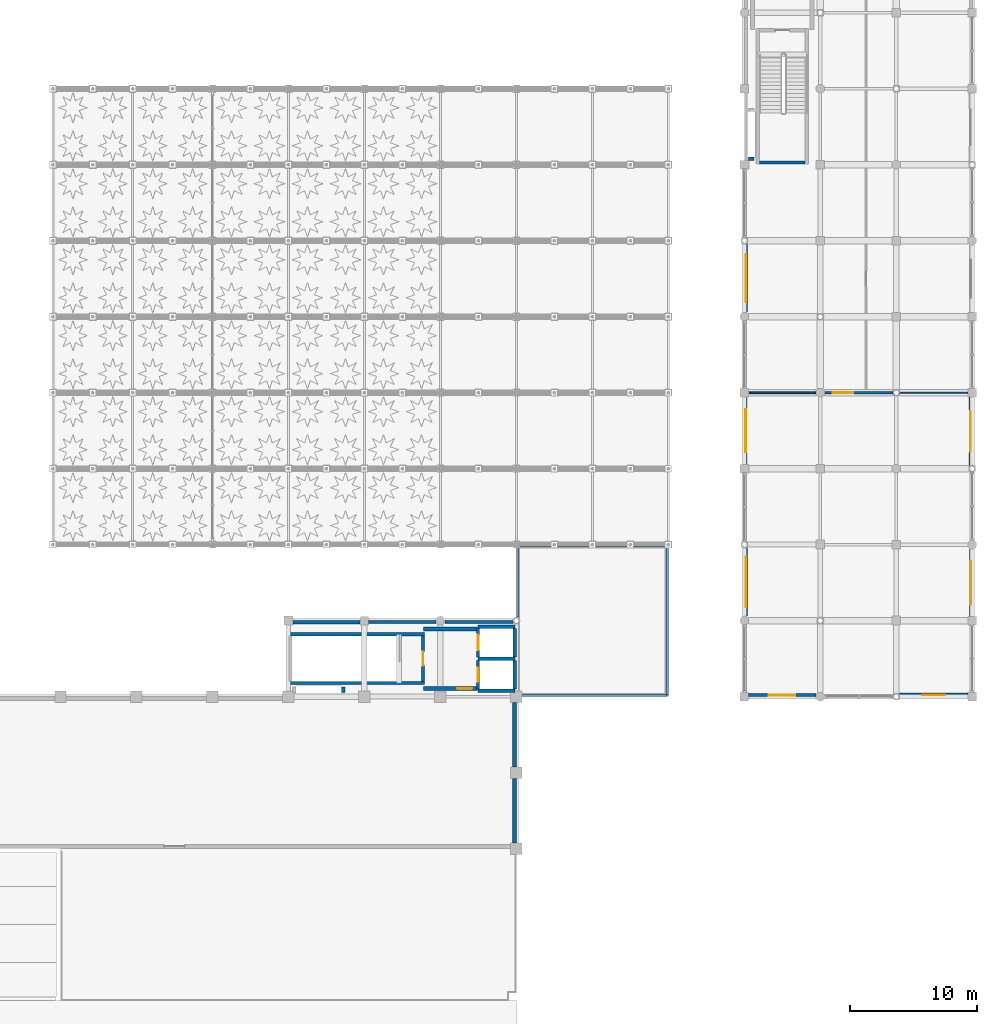
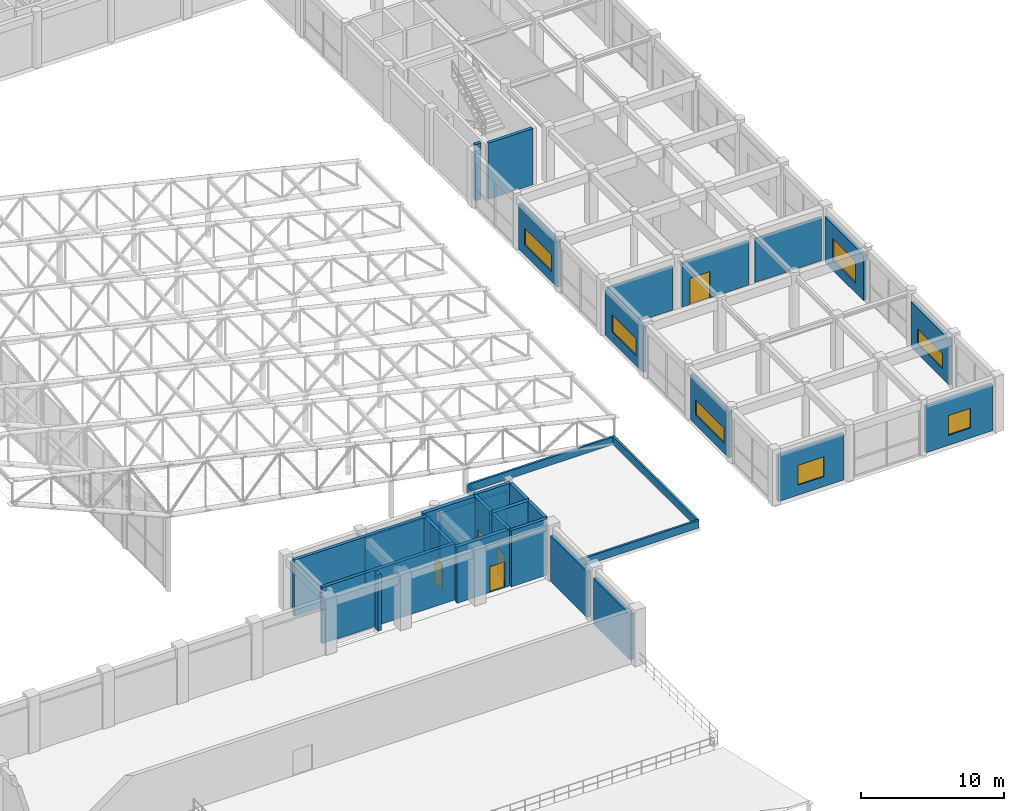
# One storey, part 96 of 112: 34 walls, 7 windows, 5 doors, 12 openings.
"""IFC4 building model written with IfcOpenShell, lengths in metres."""

from ifc_helpers import new_model, si_unit, direction, frame, frame_2d, origin, place, context, subcontext, project, spatial, rectangle, extrude, material, layer, layer_set, type_object, element, fill, save


model = new_model("IFC4")

# Units and contexts
model_context = context("Model", 3, precision=1e-05, world=origin(), true_north=direction((0.0, 1.0)))
body_context = subcontext(model_context, "Body", "Model", "MODEL_VIEW")
ifc_project = project(units=[si_unit("LENGTHUNIT", "METRE"), si_unit("AREAUNIT", "SQUARE_METRE"), si_unit("VOLUMEUNIT", "CUBIC_METRE"), si_unit("PLANEANGLEUNIT", "RADIAN"), si_unit("MASSUNIT", "GRAM", prefix="KILO"), si_unit("THERMODYNAMICTEMPERATUREUNIT", "KELVIN"), si_unit("POWERUNIT", "WATT")], contexts=[model_context])

# Site, building, storey
site_placement = place(None, origin())
site = spatial("IfcSite", under=ifc_project, at=site_placement, CompositionType="ELEMENT")
building_placement = place(site_placement, origin())
building = spatial("IfcBuilding", under=site, at=building_placement, Name="Phaisarnlok Congress Hotel", CompositionType="ELEMENT")
storey_placement = place(building_placement, frame((0.0, 0.0, 19.800048828125)))
storey = spatial("IfcBuildingStorey", under=building, at=storey_placement, Name="L04", CompositionType="ELEMENT", Elevation=19.800048828125)

# Walls
ifc_material_1 = material(Name="Concrete C40/50", Category="concrete")
ifc_layer_1 = layer(ifc_material_1, 0.2099609375, Name="Concrete C40/50")
ifc_layer_set_1 = layer_set([ifc_layer_1], Name="Concrete C40/50")
wall_type_1 = type_object("IfcWallType", Name="WL-EXT-210", PredefinedType="SOLIDWALL", material=ifc_layer_set_1)
wall_1_placement = place(storey_placement, frame((137.64501953125, 41.89501953125, 0.0), z_axis=(0.0, 0.0, 1.0), x_axis=(-1.0, 0.0, 0.0)))
element("IfcWall", 1, at=wall_1_placement, inside=storey, type_object=wall_type_1, Name="Exterior wall EW-07 (L04)", PredefinedType="SOLIDWALL", context=body_context, shape_type="SweptSolid", body=[
    extrude(rectangle(XDim=5.31494140625, YDim=0.2099609375, at=frame_2d((2.657470703125, 0.0))), origin(), (0.0, 0.0, 1.0), 3.909912109375),
])
ifc_layer_2 = layer(ifc_material_1, 0.22998046875, Name="Concrete C40/50")
ifc_layer_set_2 = layer_set([ifc_layer_2], Name="Concrete C40/50")
wall_type_2 = type_object("IfcWallType", Name="WL-EXT-230", PredefinedType="SOLIDWALL", material=ifc_layer_set_2)
wall_2_placement = place(storey_placement, frame((143.740966796875, 41.885009765625, 0.0), z_axis=(0.0, 0.0, 1.0), x_axis=(-1.0, 0.0, 0.0)))
element("IfcWall", 2, at=wall_2_placement, inside=storey, type_object=wall_type_2, Name="Exterior wall EW-06 (L04)", PredefinedType="SOLIDWALL", context=body_context, shape_type="SweptSolid", body=[
    extrude(rectangle(XDim=5.385986328125, YDim=0.22998046875, at=frame_2d((2.69287109375, 0.0))), origin(), (0.0, 0.0, 1.0), 3.909912109375),
])

# Wall, opening, window
wall_3_placement = place(storey_placement, frame((162.114990234375, 59.669921875, 0.0), z_axis=(0.0, 0.0, 1.0), x_axis=(0.0, -1.0, 0.0)))
wall_3 = element("IfcWall", 3, at=wall_3_placement, inside=storey, type_object=wall_type_2, Name="Exterior wall EW-06 (L04)", PredefinedType="SOLIDWALL", context=body_context, shape_type="SweptSolid", body=[
    extrude(rectangle(XDim=5.31494140625, YDim=0.22998046875, at=frame_2d((2.657470703125, 0.0))), origin(), (0.0, 0.0, 1.0), 3.89990234375),
])
opening_1_placement = place(wall_3_placement, frame((0.9580078125, 0.0, 0.85009765625)))
opening_1 = element("IfcOpeningElement", 4, at=opening_1_placement, cuts=wall_3, Name="Opening W-18", PredefinedType="OPENING", context=body_context, shape_type="SweptSolid", body=[
    extrude(rectangle(XDim=3.39990234375, YDim=1.449951171875, at=frame_2d((1.699951171875, 0.72509765625))), frame((0.0, 0.125, 0.0), z_axis=(0.0, -1.0, 0.0), x_axis=(1.0, 0.0, 0.0)), (0.0, 0.0, 1.0), 0.25),
])
ifc_material_2 = material(Name="Thermally Broken Aluminium & Low-E Double Glazing", Category="aluminium")
window_type_1 = type_object("IfcWindowType", Name="WIN-RIB-3400", PartitioningType="SINGLE_PANEL", PredefinedType="WINDOW", material=ifc_material_2)
window_1_placement = place(opening_1_placement, origin())
window_1 = element("IfcWindow", 5, at=window_1_placement, inside=storey, type_object=window_type_1, Name="Podium window W-18 (L04)", OverallHeight=1.449951171875, OverallWidth=3.39990234375, PartitioningType="SINGLE_PANEL", PredefinedType="WINDOW", context=body_context, shape_type="SweptSolid", body=[
    extrude(rectangle(XDim=3.39990234375, YDim=1.449951171875, at=frame_2d((1.699951171875, 0.72509765625))), frame((0.0, 0.030029296875, 0.0), z_axis=(0.0, -1.0, 0.0), x_axis=(1.0, 0.0, 0.0)), (0.0, 0.0, 1.0), 0.06005859375),
])
fill(opening_1, window_1)

wall_4_placement = place(storey_placement, frame((162.330078125, 36.114990234375, 0.0), z_axis=(0.0, 0.0, 1.0), x_axis=(1.0, 0.0, 0.0)))
wall_4 = element("IfcWall", 6, at=wall_4_placement, inside=storey, type_object=wall_type_2, Name="Exterior wall EW-06 (L04)", PredefinedType="SOLIDWALL", context=body_context, shape_type="SweptSolid", body=[
    extrude(rectangle(XDim=5.31494140625, YDim=0.22998046875, at=frame_2d((2.657470703125, 0.0))), origin(), (0.0, 0.0, 1.0), 3.945068359375),
])
opening_2_placement = place(wall_4_placement, frame((1.60693359375, 0.0, 0.85009765625)))
opening_2 = element("IfcOpeningElement", 7, at=opening_2_placement, cuts=wall_4, Name="Opening W-09", PredefinedType="OPENING", context=body_context, shape_type="SweptSolid", body=[
    extrude(rectangle(XDim=2.10009765625, YDim=1.699951171875, at=frame_2d((1.050048828125, 0.85009765625))), frame((0.0, 0.125, 0.0), z_axis=(0.0, -1.0, 0.0), x_axis=(1.0, 0.0, 0.0)), (0.0, 0.0, 1.0), 0.25),
])
window_type_2 = type_object("IfcWindowType", Name="WIN-POD-2100", PartitioningType="SINGLE_PANEL", PredefinedType="WINDOW", material=ifc_material_2)
window_2_placement = place(opening_2_placement, origin())
window_2 = element("IfcWindow", 8, at=window_2_placement, inside=storey, type_object=window_type_2, Name="Podium window W-09 (L04)", OverallHeight=1.699951171875, OverallWidth=2.10009765625, PartitioningType="SINGLE_PANEL", PredefinedType="WINDOW", context=body_context, shape_type="SweptSolid", body=[
    extrude(rectangle(XDim=2.10009765625, YDim=1.699951171875, at=frame_2d((1.050048828125, 0.85009765625))), frame((0.0, 0.030029296875, 0.0), z_axis=(0.0, -1.0, 0.0), x_axis=(1.0, 0.0, 0.0)), (0.0, 0.0, 1.0), 0.06005859375),
])
fill(opening_2, window_2)

wall_5_placement = place(storey_placement, frame((179.885009765625, 42.330078125, 0.0), z_axis=(0.0, 0.0, 1.0), x_axis=(0.0, 1.0, 0.0)))
wall_5 = element("IfcWall", 9, at=wall_5_placement, inside=storey, type_object=wall_type_2, Name="Exterior wall EW-06 (L04)", PredefinedType="SOLIDWALL", context=body_context, shape_type="SweptSolid", body=[
    extrude(rectangle(XDim=5.31494140625, YDim=0.22998046875, at=frame_2d((2.657470703125, 0.0))), origin(), (0.0, 0.0, 1.0), 3.89990234375),
])
opening_3_placement = place(wall_5_placement, frame((0.907958984375, 0.0, 0.85009765625)))
opening_3 = element("IfcOpeningElement", 10, at=opening_3_placement, cuts=wall_5, Name="Opening W-20", PredefinedType="OPENING", context=body_context, shape_type="SweptSolid", body=[
    extrude(rectangle(XDim=3.5, YDim=1.300048828125, at=frame_2d((1.75, 0.64990234375))), frame((0.0, 0.125, 0.0), z_axis=(0.0, -1.0, 0.0), x_axis=(1.0, 0.0, 0.0)), (0.0, 0.0, 1.0), 0.25),
])
window_type_3 = type_object("IfcWindowType", Name="WIN-CLER-3500", PartitioningType="SINGLE_PANEL", PredefinedType="WINDOW", material=ifc_material_2)
window_3_placement = place(opening_3_placement, origin())
window_3 = element("IfcWindow", 11, at=window_3_placement, inside=storey, type_object=window_type_3, Name="Podium window W-20 (L04)", OverallHeight=1.300048828125, OverallWidth=3.5, PartitioningType="SINGLE_PANEL", PredefinedType="WINDOW", context=body_context, shape_type="SweptSolid", body=[
    extrude(rectangle(XDim=3.5, YDim=1.300048828125, at=frame_2d((1.75, 0.64990234375))), frame((0.0, 0.030029296875, 0.0), z_axis=(0.0, -1.0, 0.0), x_axis=(1.0, 0.0, 0.0)), (0.0, 0.0, 1.0), 0.06005859375),
])
fill(opening_3, window_3)

# Wall
ifc_layer_3 = layer(ifc_material_1, 0.27001953125, Name="Concrete C40/50")
ifc_layer_set_3 = layer_set([ifc_layer_3], Name="Concrete C40/50")
wall_type_3 = type_object("IfcWallType", Name="WL-EXT-270", PredefinedType="SOLIDWALL", material=ifc_layer_set_3)
wall_6_placement = place(storey_placement, frame((131.669921875, 41.864990234375, 0.0), z_axis=(0.0, 0.0, 1.0), x_axis=(-1.0, 0.0, 0.0)))
element("IfcWall", 12, at=wall_6_placement, inside=storey, type_object=wall_type_3, Name="Exterior wall EW-04 (L04)", PredefinedType="SOLIDWALL", context=body_context, shape_type="SweptSolid", body=[
    extrude(rectangle(XDim=5.31494140625, YDim=0.27001953125, at=frame_2d((2.657470703125, 0.0))), origin(), (0.0, 0.0, 1.0), 3.909912109375),
])

# Wall, opening, window
wall_7_placement = place(storey_placement, frame((162.135009765625, 71.740966796875, 0.0), z_axis=(0.0, 0.0, 1.0), x_axis=(0.0, -1.0, 0.0)))
wall_7 = element("IfcWall", 13, at=wall_7_placement, inside=storey, type_object=wall_type_3, Name="Exterior wall EW-04 (L04)", PredefinedType="SOLIDWALL", context=body_context, shape_type="SweptSolid", body=[
    extrude(rectangle(XDim=5.385986328125, YDim=0.27001953125, at=frame_2d((2.69287109375, 0.0))), origin(), (0.0, 0.0, 1.0), 3.89990234375),
])
opening_4_placement = place(wall_7_placement, frame((0.79296875, 0.0, 0.85009765625)))
opening_4 = element("IfcOpeningElement", 14, at=opening_4_placement, cuts=wall_7, Name="Opening W-17", PredefinedType="OPENING", context=body_context, shape_type="SweptSolid", body=[
    extrude(rectangle(XDim=3.800048828125, YDim=1.449951171875, at=frame_2d((1.89990234375, 0.72509765625))), frame((0.0, 0.14501953125, 0.0), z_axis=(0.0, -1.0, 0.0), x_axis=(1.0, 0.0, 0.0)), (0.0, 0.0, 1.0), 0.2900390625),
])
window_type_4 = type_object("IfcWindowType", Name="WIN-RIB-3800", PartitioningType="SINGLE_PANEL", PredefinedType="WINDOW", material=ifc_material_2)
window_4_placement = place(opening_4_placement, origin())
window_4 = element("IfcWindow", 15, at=window_4_placement, inside=storey, type_object=window_type_4, Name="Podium window W-17 (L04)", OverallHeight=1.449951171875, OverallWidth=3.800048828125, PartitioningType="SINGLE_PANEL", PredefinedType="WINDOW", context=body_context, shape_type="SweptSolid", body=[
    extrude(rectangle(XDim=3.800048828125, YDim=1.449951171875, at=frame_2d((1.89990234375, 0.72509765625))), frame((0.0, 0.030029296875, 0.0), z_axis=(0.0, -1.0, 0.0), x_axis=(1.0, 0.0, 0.0)), (0.0, 0.0, 1.0), 0.06005859375),
])
fill(opening_4, window_4)

wall_8_placement = place(storey_placement, frame((162.135009765625, 47.740966796875, 0.0), z_axis=(0.0, 0.0, 1.0), x_axis=(0.0, -1.0, 0.0)))
wall_8 = element("IfcWall", 16, at=wall_8_placement, inside=storey, type_object=wall_type_3, Name="Exterior wall EW-04 (L04)", PredefinedType="SOLIDWALL", context=body_context, shape_type="SweptSolid", body=[
    extrude(rectangle(XDim=5.385986328125, YDim=0.27001953125, at=frame_2d((2.69287109375, 0.0))), origin(), (0.0, 0.0, 1.0), 3.89990234375),
])
opening_5_placement = place(wall_8_placement, frame((0.693115234375, 0.0, 0.85009765625)))
opening_5 = element("IfcOpeningElement", 17, at=opening_5_placement, cuts=wall_8, Name="Opening W-19", PredefinedType="OPENING", context=body_context, shape_type="SweptSolid", body=[
    extrude(rectangle(XDim=4.0, YDim=1.300048828125, at=frame_2d((2.0, 0.64990234375))), frame((0.0, 0.14501953125, 0.0), z_axis=(0.0, -1.0, 0.0), x_axis=(1.0, 0.0, 0.0)), (0.0, 0.0, 1.0), 0.2900390625),
])
window_type_5 = type_object("IfcWindowType", Name="WIN-CLER-4000", PartitioningType="SINGLE_PANEL", PredefinedType="WINDOW", material=ifc_material_2)
window_5_placement = place(opening_5_placement, origin())
window_5 = element("IfcWindow", 18, at=window_5_placement, inside=storey, type_object=window_type_5, Name="Podium window W-19 (L04)", OverallHeight=1.300048828125, OverallWidth=4.0, PartitioningType="SINGLE_PANEL", PredefinedType="WINDOW", context=body_context, shape_type="SweptSolid", body=[
    extrude(rectangle(XDim=4.0, YDim=1.300048828125, at=frame_2d((2.0, 0.64990234375))), frame((0.0, 0.030029296875, 0.0), z_axis=(0.0, -1.0, 0.0), x_axis=(1.0, 0.0, 0.0)), (0.0, 0.0, 1.0), 0.06005859375),
])
fill(opening_5, window_5)

wall_9_placement = place(storey_placement, frame((174.259033203125, 36.135009765625, 0.0), z_axis=(0.0, 0.0, 1.0), x_axis=(1.0, 0.0, 0.0)))
wall_9 = element("IfcWall", 19, at=wall_9_placement, inside=storey, type_object=wall_type_3, Name="Exterior wall EW-04 (L04)", PredefinedType="SOLIDWALL", context=body_context, shape_type="SweptSolid", body=[
    extrude(rectangle(XDim=5.385986328125, YDim=0.27001953125, at=frame_2d((2.69287109375, 0.0))), origin(), (0.0, 0.0, 1.0), 3.945068359375),
])
opening_6_placement = place(wall_9_placement, frame((1.79296875, 0.0, 0.85009765625)))
opening_6 = element("IfcOpeningElement", 20, at=opening_6_placement, cuts=wall_9, Name="Opening W-10", PredefinedType="OPENING", context=body_context, shape_type="SweptSolid", body=[
    extrude(rectangle(XDim=1.800048828125, YDim=1.699951171875, at=frame_2d((0.89990234375, 0.85009765625))), frame((0.0, 0.14501953125, 0.0), z_axis=(0.0, -1.0, 0.0), x_axis=(1.0, 0.0, 0.0)), (0.0, 0.0, 1.0), 0.2900390625),
])
window_type_6 = type_object("IfcWindowType", Name="WIN-POD-1800", PartitioningType="SINGLE_PANEL", PredefinedType="WINDOW", material=ifc_material_2)
window_6_placement = place(opening_6_placement, origin())
window_6 = element("IfcWindow", 21, at=window_6_placement, inside=storey, type_object=window_type_6, Name="Podium window W-10 (L04)", OverallHeight=1.699951171875, OverallWidth=1.800048828125, PartitioningType="SINGLE_PANEL", PredefinedType="WINDOW", context=body_context, shape_type="SweptSolid", body=[
    extrude(rectangle(XDim=1.800048828125, YDim=1.699951171875, at=frame_2d((0.89990234375, 0.85009765625))), frame((0.0, 0.030029296875, 0.0), z_axis=(0.0, -1.0, 0.0), x_axis=(1.0, 0.0, 0.0)), (0.0, 0.0, 1.0), 0.06005859375),
])
fill(opening_6, window_6)

wall_10_placement = place(storey_placement, frame((179.864990234375, 54.259033203125, 0.0), z_axis=(0.0, 0.0, 1.0), x_axis=(0.0, 1.0, 0.0)))
wall_10 = element("IfcWall", 22, at=wall_10_placement, inside=storey, type_object=wall_type_3, Name="Exterior wall EW-04 (L04)", PredefinedType="SOLIDWALL", context=body_context, shape_type="SweptSolid", body=[
    extrude(rectangle(XDim=5.385986328125, YDim=0.27001953125, at=frame_2d((2.69287109375, 0.0))), origin(), (0.0, 0.0, 1.0), 3.89990234375),
])
opening_7_placement = place(wall_10_placement, frame((1.093017578125, 0.0, 0.85009765625)))
opening_7 = element("IfcOpeningElement", 23, at=opening_7_placement, cuts=wall_10, Name="Opening W-04", PredefinedType="OPENING", context=body_context, shape_type="SweptSolid", body=[
    extrude(rectangle(XDim=3.199951171875, YDim=1.85009765625, at=frame_2d((1.60009765625, 0.925048828125))), frame((0.0, 0.14501953125, 0.0), z_axis=(0.0, -1.0, 0.0), x_axis=(1.0, 0.0, 0.0)), (0.0, 0.0, 1.0), 0.2900390625),
])
window_type_7 = type_object("IfcWindowType", Name="WIN-SUITE-3200", PartitioningType="SINGLE_PANEL", PredefinedType="WINDOW", material=ifc_material_2)
window_7_placement = place(opening_7_placement, origin())
window_7 = element("IfcWindow", 24, at=window_7_placement, inside=storey, type_object=window_type_7, Name="Podium window W-04 (L04)", OverallHeight=1.85009765625, OverallWidth=3.199951171875, PartitioningType="SINGLE_PANEL", PredefinedType="WINDOW", context=body_context, shape_type="SweptSolid", body=[
    extrude(rectangle(XDim=3.199951171875, YDim=1.85009765625, at=frame_2d((1.60009765625, 0.925048828125))), frame((0.0, 0.030029296875, 0.0), z_axis=(0.0, -1.0, 0.0), x_axis=(1.0, 0.0, 0.0)), (0.0, 0.0, 1.0), 0.06005859375),
])
fill(opening_7, window_7)

# Walls
ifc_layer_4 = layer(ifc_material_1, 0.320068359375, Name="Concrete C40/50")
ifc_layer_set_4 = layer_set([ifc_layer_4], Name="Concrete C40/50")
wall_type_4 = type_object("IfcWallType", Name="WL-EXT-320", PredefinedType="SOLIDWALL", material=ifc_layer_set_4)
for number, where, z_axis, x_axis, name in (
    (25, (143.840087890625, 24.455078125, 0.0), (0.0, 0.0, 1.0), (0.0, 1.0, 0.0), "Exterior wall EW-02 (L04)"),
    (26, (143.840087890625, 30.455078125, 0.0), (0.0, 0.0, 1.0), (0.0, 1.0, 0.0), "Exterior wall EW-02 (L04)"),
):
    element("IfcWall", number, at=place(storey_placement, frame(where, z_axis=z_axis, x_axis=x_axis)), inside=storey, type_object=wall_type_4, Name=name, PredefinedType="SOLIDWALL", context=body_context, shape_type="SweptSolid", body=[
        extrude(rectangle(XDim=5.08984375, YDim=0.320068359375, at=frame_2d((2.544921875, 0.0))), origin(), (0.0, 0.0, 1.0), 3.909912109375),
    ])
ifc_material_3 = material(Name="Service Riser Shaftwall Partition", Category="gypsum")
ifc_layer_5 = layer(ifc_material_3, 0.10498046875, Name="Service Riser Shaftwall Partition")
ifc_layer_set_5 = layer_set([ifc_layer_5], Name="Service Riser Shaftwall Partition")
wall_type_5 = type_object("IfcWallType", Name="WL-INT-105", PredefinedType="PARTITIONING", material=ifc_layer_set_5)
wall_11_placement = place(storey_placement, frame((174.259033203125, 60.0, 0.0), z_axis=(0.0, 0.0, 1.0), x_axis=(1.0, 0.0, 0.0)))
element("IfcWall", 27, at=wall_11_placement, inside=storey, type_object=wall_type_5, Name="Interior partition wall IW-08 (L04)", PredefinedType="PARTITIONING", context=body_context, shape_type="SweptSolid", body=[
    extrude(rectangle(XDim=5.370849609375, YDim=0.10498046875, at=frame_2d((2.685546875, 0.0))), origin(), (0.0, 0.0, 1.0), 3.75),
])
ifc_material_4 = material(Name="Acoustic Gypsum Board & Mineral Wool", Category="gypsum")
ifc_layer_6 = layer(ifc_material_4, 0.14990234375, Name="Acoustic Gypsum Board & Mineral Wool")
ifc_layer_set_6 = layer_set([ifc_layer_6], Name="Acoustic Gypsum Board & Mineral Wool")
wall_type_6 = type_object("IfcWallType", Name="WL-INT-150", PredefinedType="PARTITIONING", material=ifc_layer_set_6)
wall_12_placement = place(storey_placement, frame((162.3701171875, 60.0, 0.0), z_axis=(0.0, 0.0, 1.0), x_axis=(1.0, 0.0, 0.0)))
element("IfcWall", 28, at=wall_12_placement, inside=storey, type_object=wall_type_6, Name="Interior partition wall IW-05 (L04)", PredefinedType="PARTITIONING", context=body_context, shape_type="SweptSolid", body=[
    extrude(rectangle(XDim=5.27490234375, YDim=0.14990234375, at=frame_2d((2.637451171875, 0.0))), origin(), (0.0, 0.0, 1.0), 3.75),
])

# Wall, opening, door
ifc_material_5 = material(Name="Autoclaved Aerated Concrete Block", Category="concrete")
ifc_layer_7 = layer(ifc_material_5, 0.199951171875, Name="Autoclaved Aerated Concrete Block")
ifc_layer_set_7 = layer_set([ifc_layer_7], Name="Autoclaved Aerated Concrete Block")
wall_type_7 = type_object("IfcWallType", Name="WL-INT-200", PredefinedType="PARTITIONING", material=ifc_layer_set_7)
wall_13_placement = place(storey_placement, frame((168.35498046875, 60.0, 0.0), z_axis=(0.0, 0.0, 1.0), x_axis=(1.0, 0.0, 0.0)))
wall_13 = element("IfcWall", 29, at=wall_13_placement, inside=storey, type_object=wall_type_7, Name="Interior partition wall IW-02 (L04)", PredefinedType="PARTITIONING", context=body_context, shape_type="SweptSolid", body=[
    extrude(rectangle(XDim=5.385986328125, YDim=0.199951171875, at=frame_2d((2.69287109375, 0.0))), origin(), (0.0, 0.0, 1.0), 3.75),
])
opening_8_placement = place(wall_13_placement, frame((0.64501953125, 0.0, 0.0)))
opening_8 = element("IfcOpeningElement", 30, at=opening_8_placement, cuts=wall_13, Name="Opening D-0132", PredefinedType="OPENING", context=body_context, shape_type="SweptSolid", body=[
    extrude(rectangle(XDim=1.60009765625, YDim=2.25, at=frame_2d((0.800048828125, 1.125))), frame((0.0, 0.10986328125, 0.0), z_axis=(0.0, -1.0, 0.0), x_axis=(1.0, 0.0, 0.0)), (0.0, 0.0, 1.0), 0.219970703125),
])
ifc_material_6 = material(Name="Frameless Tempered Acoustic Glass", Category="glass")
door_type_1 = type_object("IfcDoorType", Name="DR-GLZ-1600", OperationType="DOUBLE_DOOR_SINGLE_SWING", PredefinedType="DOOR", material=ifc_material_6)
door_1_placement = place(opening_8_placement, origin())
door_1 = element("IfcDoor", 31, at=door_1_placement, inside=storey, type_object=door_type_1, Name="Interior door D-0132 (L04)", OperationType="DOUBLE_DOOR_SINGLE_SWING", OverallHeight=2.25, OverallWidth=1.60009765625, PredefinedType="DOOR", context=body_context, shape_type="SweptSolid", body=[
    extrude(rectangle(XDim=1.60009765625, YDim=2.25, at=frame_2d((0.800048828125, 1.125))), frame((0.0, 0.02490234375, 0.0), z_axis=(0.0, -1.0, 0.0), x_axis=(1.0, 0.0, 0.0)), (0.0, 0.0, 1.0), 0.050048828125),
])
fill(opening_8, door_1)

# Walls
ifc_layer_8 = layer(ifc_material_1, 0.169921875, Name="Concrete C40/50")
ifc_layer_set_8 = layer_set([ifc_layer_8], Name="Concrete C40/50")
wall_type_8 = type_object("IfcWallType", Name="WL-PAR-170", PredefinedType="PARAPET", material=ifc_layer_set_8)
for number, where, z_axis, x_axis, name in (
    (32, (155.909912109375, 36.090087890625, 0.0), (0.0, 0.0, 1.0), (0.0, 1.0, 0.0), "Podium roof parapet WP-02 (L04)"),
    (33, (155.909912109375, 47.909912109375, 0.0), (0.0, 0.0, 1.0), (-1.0, 0.0, 0.0), "Podium roof parapet WP-02 (L04)"),
):
    element("IfcWall", number, at=place(storey_placement, frame(where, z_axis=z_axis, x_axis=x_axis)), inside=storey, type_object=wall_type_8, Name=name, PredefinedType="PARAPET", context=body_context, shape_type="SweptSolid", body=[
        extrude(rectangle(XDim=11.81982421875, YDim=0.169921875, at=frame_2d((5.909912109375, 0.0))), origin(), (0.0, 0.0, 1.0), 0.64990234375),
    ])
wall_14_placement = place(storey_placement, frame((144.090087890625, 47.909912109375, 0.0), z_axis=(0.0, 0.0, 1.0), x_axis=(0.0, -1.0, 0.0)))
element("IfcWall", 34, at=wall_14_placement, inside=storey, type_object=wall_type_8, Name="Podium roof parapet WP-02 (L04)", PredefinedType="PARAPET", context=body_context, shape_type="SweptSolid", body=[
    extrude(rectangle(XDim=5.6240234375, YDim=0.169921875, at=frame_2d((2.81201171875, 0.0))), origin(), (0.0, 0.0, 1.0), 0.64990234375),
])
wall_15_placement = place(storey_placement, frame((144.300048828125, 36.090087890625, 0.0), z_axis=(0.0, 0.0, 1.0), x_axis=(1.0, 0.0, 0.0)))
element("IfcWall", 35, at=wall_15_placement, inside=storey, type_object=wall_type_8, Name="Podium roof parapet WP-02 (L04)", PredefinedType="PARAPET", context=body_context, shape_type="SweptSolid", body=[
    extrude(rectangle(XDim=11.60986328125, YDim=0.169921875, at=frame_2d((5.804931640625, 0.0))), origin(), (0.0, 0.0, 1.0), 0.64990234375),
])
ifc_material_7 = material(Name="Concrete C50/60", Category="concrete")
ifc_layer_9 = layer(ifc_material_7, 0.260009765625, Name="Concrete C50/60")
ifc_layer_set_9 = layer_set([ifc_layer_9], Name="Concrete C50/60")
wall_type_9 = type_object("IfcWallType", Name="WL-SHR-260", PredefinedType="SHEAR", material=ifc_layer_set_9)
wall_16_placement = place(storey_placement, frame((163.199951171875, 78.169921875, 0.0), z_axis=(0.0, 0.0, 1.0), x_axis=(1.0, 0.0, 0.0)))
element("IfcWall", 36, at=wall_16_placement, inside=storey, type_object=wall_type_9, Name="Stair shaft shear wall SW-04 (CORE-3 L04)", PredefinedType="SHEAR", context=body_context, shape_type="SweptSolid", body=[
    extrude(rectangle(XDim=3.60009765625, YDim=0.260009765625, at=frame_2d((1.800048828125, 0.0))), origin(), (0.0, 0.0, 1.0), 4.800048828125),
])
wall_17_placement = place(storey_placement, frame((162.330078125, 78.469970703125, 0.0), z_axis=(0.0, 0.0, 1.0), x_axis=(1.0, 0.0, 0.0)))
element("IfcWall", 37, at=wall_17_placement, inside=storey, type_object=wall_type_9, Name="Service riser shaft wall SW-04 (CORE-3 L04)", PredefinedType="SHEAR", context=body_context, shape_type="SweptSolid", body=[
    extrude(rectangle(XDim=0.43994140625, YDim=0.260009765625, at=frame_2d((0.219970703125, 0.0))), origin(), (0.0, 0.0, 1.0), 4.800048828125),
])
for number, where, z_axis, x_axis, name in (
    (38, (126.0400390625, 37.070068359375, 0.0), (0.0, 0.0, 1.0), (1.0, 0.0, 0.0), "Stair shaft shear wall SW-04 (CORE-6 L04)"),
    (39, (126.0400390625, 40.929931640625, 0.0), (0.0, 0.0, 1.0), (1.0, 0.0, 0.0), "Stair shaft shear wall SW-04 (CORE-6 L04)"),
):
    element("IfcWall", number, at=place(storey_placement, frame(where, z_axis=z_axis, x_axis=x_axis)), inside=storey, type_object=wall_type_9, Name=name, PredefinedType="SHEAR", context=body_context, shape_type="SweptSolid", body=[
        extrude(rectangle(XDim=10.719970703125, YDim=0.260009765625, at=frame_2d((5.35986328125, 0.0))), origin(), (0.0, 0.0, 1.0), 4.800048828125),
    ])

# Wall, opening, door
wall_18_placement = place(storey_placement, frame((136.6298828125, 37.199951171875, 0.0), z_axis=(0.0, 0.0, 1.0), x_axis=(0.0, 1.0, 0.0)))
wall_18 = element("IfcWall", 40, at=wall_18_placement, inside=storey, type_object=wall_type_9, Name="Stair shaft shear wall SW-04 (CORE-6 L04)", PredefinedType="SHEAR", context=body_context, shape_type="SweptSolid", body=[
    extrude(rectangle(XDim=3.60009765625, YDim=0.260009765625, at=frame_2d((1.800048828125, 0.0))), origin(), (0.0, 0.0, 1.0), 4.800048828125),
])
opening_9_placement = place(wall_18_placement, frame((1.25, 0.0, 0.0)))
opening_9 = element("IfcOpeningElement", 41, at=opening_9_placement, cuts=wall_18, Name="Opening FD-138", PredefinedType="OPENING", context=body_context, shape_type="SweptSolid", body=[
    extrude(rectangle(XDim=1.10009765625, YDim=2.14990234375, at=frame_2d((0.550048828125, 1.074951171875))), frame((0.0, 0.14013671875, 0.0), z_axis=(0.0, -1.0, 0.0), x_axis=(1.0, 0.0, 0.0)), (0.0, 0.0, 1.0), 0.280029296875),
])
ifc_material_8 = material(Name="Fire-Rated Steel Frame & Timber Leaf", Category="steel")
door_type_2 = type_object("IfcDoorType", Name="DR-FD60-1100", OperationType="NOTDEFINED", PredefinedType="DOOR", material=ifc_material_8)
door_2_placement = place(opening_9_placement, origin())
door_2 = element("IfcDoor", 42, at=door_2_placement, inside=storey, type_object=door_type_2, Name="Stair enclosure fire door FD-138 (L04)", OperationType="SINGLE_SWING_LEFT", OverallHeight=2.14990234375, OverallWidth=1.10009765625, PredefinedType="DOOR", context=body_context, shape_type="SweptSolid", body=[
    extrude(rectangle(XDim=1.10009765625, YDim=2.14990234375, at=frame_2d((0.550048828125, 1.074951171875))), frame((0.0, 0.02490234375, 0.0), z_axis=(0.0, -1.0, 0.0), x_axis=(1.0, 0.0, 0.0)), (0.0, 0.0, 1.0), 0.050048828125),
])
fill(opening_9, door_2)

# Wall
wall_19_placement = place(storey_placement, frame((140.969970703125, 36.469970703125, 0.0), z_axis=(0.0, 0.0, 1.0), x_axis=(1.0, 0.0, 0.0)))
element("IfcWall", 43, at=wall_19_placement, inside=storey, type_object=wall_type_9, Name="Lift shaft shear wall SW-04 (LF-CP2 L04)", PredefinedType="SHEAR", context=body_context, shape_type="SweptSolid", body=[
    extrude(rectangle(XDim=2.909912109375, YDim=0.260009765625, at=frame_2d((1.455078125, 0.0))), origin(), (0.0, 0.0, 1.0), 4.800048828125),
])

# Wall, opening, door
wall_20_placement = place(storey_placement, frame((140.969970703125, 36.60009765625, 0.0), z_axis=(0.0, 0.0, 1.0), x_axis=(0.0, 1.0, 0.0)))
wall_20 = element("IfcWall", 44, at=wall_20_placement, inside=storey, type_object=wall_type_9, Name="Lift shaft front wall SW-04 (LF-CP2 L04)", PredefinedType="SHEAR", context=body_context, shape_type="SweptSolid", body=[
    extrude(rectangle(XDim=2.25, YDim=0.260009765625, at=frame_2d((1.125, 0.0))), origin(), (0.0, 0.0, 1.0), 4.800048828125),
])
opening_10_placement = place(wall_20_placement, frame((0.574951171875, 0.0, 0.0)))
opening_10 = element("IfcOpeningElement", 45, at=opening_10_placement, cuts=wall_20, Name="Opening LD-123", PredefinedType="OPENING", context=body_context, shape_type="SweptSolid", body=[
    extrude(rectangle(XDim=1.10009765625, YDim=2.199951171875, at=frame_2d((0.550048828125, 1.10009765625))), frame((0.0, 0.14013671875, 0.0), z_axis=(0.0, -1.0, 0.0), x_axis=(1.0, 0.0, 0.0)), (0.0, 0.0, 1.0), 0.280029296875),
])
ifc_material_9 = material(Name="Brushed Stainless Steel Grade 304", Category="steel")
door_type_3 = type_object("IfcDoorType", Name="DR-LD-1100", OperationType="DOUBLE_DOOR_SLIDING", PredefinedType="DOOR", material=ifc_material_9)
door_3_placement = place(opening_10_placement, origin())
door_3 = element("IfcDoor", 46, at=door_3_placement, inside=storey, type_object=door_type_3, Name="Lift landing sliding door LD-123 (LF-CP2 L04)", OperationType="DOUBLE_DOOR_SLIDING", OverallHeight=2.199951171875, OverallWidth=1.10009765625, PredefinedType="DOOR", context=body_context, shape_type="SweptSolid", body=[
    extrude(rectangle(XDim=1.10009765625, YDim=2.199951171875, at=frame_2d((0.550048828125, 1.10009765625))), frame((0.0, 0.02490234375, 0.0), z_axis=(0.0, -1.0, 0.0), x_axis=(1.0, 0.0, 0.0)), (0.0, 0.0, 1.0), 0.050048828125),
])
fill(opening_10, door_3)

# Walls
wall_21_placement = place(storey_placement, frame((140.969970703125, 41.530029296875, 0.0), z_axis=(0.0, 0.0, 1.0), x_axis=(1.0, 0.0, 0.0)))
element("IfcWall", 47, at=wall_21_placement, inside=storey, type_object=wall_type_9, Name="Lift shaft shear wall SW-04 (LF-SV2 L04)", PredefinedType="SHEAR", context=body_context, shape_type="SweptSolid", body=[
    extrude(rectangle(XDim=2.909912109375, YDim=0.260009765625, at=frame_2d((1.455078125, 0.0))), origin(), (0.0, 0.0, 1.0), 4.800048828125),
])
wall_22_placement = place(storey_placement, frame((143.8798828125, 39.14990234375, 0.0), z_axis=(0.0, 0.0, 1.0), x_axis=(0.0, 1.0, 0.0)))
element("IfcWall", 48, at=wall_22_placement, inside=storey, type_object=wall_type_9, Name="Lift shaft shear wall SW-04 (LF-SV2 L04)", PredefinedType="SHEAR", context=body_context, shape_type="SweptSolid", body=[
    extrude(rectangle(XDim=2.25, YDim=0.260009765625, at=frame_2d((1.125, 0.0))), origin(), (0.0, 0.0, 1.0), 4.800048828125),
])

# Wall, opening, door
wall_23_placement = place(storey_placement, frame((140.969970703125, 39.14990234375, 0.0), z_axis=(0.0, 0.0, 1.0), x_axis=(0.0, 1.0, 0.0)))
wall_23 = element("IfcWall", 49, at=wall_23_placement, inside=storey, type_object=wall_type_9, Name="Lift shaft front wall SW-04 (LF-SV2 L04)", PredefinedType="SHEAR", context=body_context, shape_type="SweptSolid", body=[
    extrude(rectangle(XDim=2.25, YDim=0.260009765625, at=frame_2d((1.125, 0.0))), origin(), (0.0, 0.0, 1.0), 4.800048828125),
])
opening_11_placement = place(wall_23_placement, frame((0.52490234375, 0.0, 0.0)))
opening_11 = element("IfcOpeningElement", 50, at=opening_11_placement, cuts=wall_23, Name="Opening LD-129", PredefinedType="OPENING", context=body_context, shape_type="SweptSolid", body=[
    extrude(rectangle(XDim=1.199951171875, YDim=2.25, at=frame_2d((0.60009765625, 1.125))), frame((0.0, 0.14013671875, 0.0), z_axis=(0.0, -1.0, 0.0), x_axis=(1.0, 0.0, 0.0)), (0.0, 0.0, 1.0), 0.280029296875),
])
door_type_4 = type_object("IfcDoorType", Name="DR-LD-1200", OperationType="DOUBLE_DOOR_SLIDING", PredefinedType="DOOR", material=ifc_material_9)
door_4_placement = place(opening_11_placement, origin())
door_4 = element("IfcDoor", 51, at=door_4_placement, inside=storey, type_object=door_type_4, Name="Lift landing sliding door LD-129 (LF-SV2 L04)", OperationType="DOUBLE_DOOR_SLIDING", OverallHeight=2.25, OverallWidth=1.199951171875, PredefinedType="DOOR", context=body_context, shape_type="SweptSolid", body=[
    extrude(rectangle(XDim=1.199951171875, YDim=2.25, at=frame_2d((0.60009765625, 1.125))), frame((0.0, 0.02490234375, 0.0), z_axis=(0.0, -1.0, 0.0), x_axis=(1.0, 0.0, 0.0)), (0.0, 0.0, 1.0), 0.050048828125),
])
fill(opening_11, door_4)

# Walls
wall_24_placement = place(storey_placement, frame((130.330078125, 36.330078125, 0.0), z_axis=(0.0, 0.0, 1.0), x_axis=(0.0, 1.0, 0.0)))
element("IfcWall", 52, at=wall_24_placement, inside=storey, type_object=wall_type_9, Name="Service riser shaft wall SW-04 (CORE-6 L04)", PredefinedType="SHEAR", context=body_context, shape_type="SweptSolid", body=[
    extrude(rectangle(XDim=0.43994140625, YDim=0.260009765625, at=frame_2d((0.219970703125, 0.0))), origin(), (0.0, 0.0, 1.0), 4.800048828125),
])
ifc_layer_10 = layer(ifc_material_7, 0.260009765625, Name="Concrete C50/60")
ifc_layer_set_10 = layer_set([ifc_layer_10], Name="Concrete C50/60")
wall_type_10 = type_object("IfcWallType", Name="WL-SHR-260-EXT", PredefinedType="SHEAR", material=ifc_layer_set_10)
wall_25_placement = place(storey_placement, frame((143.8798828125, 36.60009765625, 0.0), z_axis=(0.0, 0.0, 1.0), x_axis=(0.0, 1.0, 0.0)))
element("IfcWall", 53, at=wall_25_placement, inside=storey, type_object=wall_type_10, Name="Lift shaft shear wall SW-04E (LF-CP2 L04)", PredefinedType="SHEAR", context=body_context, shape_type="SweptSolid", body=[
    extrude(rectangle(XDim=2.25, YDim=0.260009765625, at=frame_2d((1.125, 0.0))), origin(), (0.0, 0.0, 1.0), 4.800048828125),
])
ifc_layer_11 = layer(ifc_material_7, 0.300048828125, Name="Concrete C50/60")
ifc_layer_set_11 = layer_set([ifc_layer_11], Name="Concrete C50/60")
wall_type_11 = type_object("IfcWallType", Name="WL-SHR-300", PredefinedType="SHEAR", material=ifc_layer_set_11)
wall_26_placement = place(storey_placement, frame((140.969970703125, 39.0, 0.0), z_axis=(0.0, 0.0, 1.0), x_axis=(1.0, 0.0, 0.0)))
element("IfcWall", 54, at=wall_26_placement, inside=storey, type_object=wall_type_11, Name="Lift shaft divider shear wall SW-03 (LF-CP2 L04)", PredefinedType="SHEAR", context=body_context, shape_type="SweptSolid", body=[
    extrude(rectangle(XDim=2.909912109375, YDim=0.300048828125, at=frame_2d((1.455078125, 0.0))), origin(), (0.0, 0.0, 1.0), 4.800048828125),
])
wall_27_placement = place(storey_placement, frame((136.679931640625, 41.35009765625, 0.0), z_axis=(0.0, 0.0, 1.0), x_axis=(1.0, 0.0, 0.0)))
element("IfcWall", 55, at=wall_27_placement, inside=storey, type_object=wall_type_11, Name="Core lobby EI-120 wall SW-03 (CORE-6 L04)", PredefinedType="SHEAR", context=body_context, shape_type="SweptSolid", body=[
    extrude(rectangle(XDim=4.239990234375, YDim=0.300048828125, at=frame_2d((2.1201171875, 0.0))), origin(), (0.0, 0.0, 1.0), 4.800048828125),
])

# Wall, opening, door
wall_28_placement = place(storey_placement, frame((136.679931640625, 36.64990234375, 0.0), z_axis=(0.0, 0.0, 1.0), x_axis=(1.0, 0.0, 0.0)))
wall_28 = element("IfcWall", 56, at=wall_28_placement, inside=storey, type_object=wall_type_11, Name="Core lobby EI-120 wall SW-03 (CORE-6 L04)", PredefinedType="SHEAR", context=body_context, shape_type="SweptSolid", body=[
    extrude(rectangle(XDim=4.239990234375, YDim=0.300048828125, at=frame_2d((2.1201171875, 0.0))), origin(), (0.0, 0.0, 1.0), 4.800048828125),
])
opening_12_placement = place(wall_28_placement, frame((2.64990234375, 0.0, 0.0)))
opening_12 = element("IfcOpeningElement", 57, at=opening_12_placement, cuts=wall_28, Name="Opening FD-144", PredefinedType="OPENING", context=body_context, shape_type="SweptSolid", body=[
    extrude(rectangle(XDim=1.199951171875, YDim=2.199951171875, at=frame_2d((0.60009765625, 1.10009765625))), frame((0.0, 0.16015625, 0.0), z_axis=(0.0, -1.0, 0.0), x_axis=(1.0, 0.0, 0.0)), (0.0, 0.0, 1.0), 0.320068359375),
])
door_type_5 = type_object("IfcDoorType", Name="DR-FD60-1200", OperationType="NOTDEFINED", PredefinedType="DOOR", material=ifc_material_8)
door_5_placement = place(opening_12_placement, origin())
door_5 = element("IfcDoor", 58, at=door_5_placement, inside=storey, type_object=door_type_5, Name="Firefighting lobby entrance door FD-144 (CORE-6 L04)", OperationType="SINGLE_SWING_LEFT", OverallHeight=2.199951171875, OverallWidth=1.199951171875, PredefinedType="DOOR", context=body_context, shape_type="SweptSolid", body=[
    extrude(rectangle(XDim=1.199951171875, YDim=2.199951171875, at=frame_2d((0.60009765625, 1.10009765625))), frame((0.0, 0.02490234375, 0.0), z_axis=(0.0, -1.0, 0.0), x_axis=(1.0, 0.0, 0.0)), (0.0, 0.0, 1.0), 0.050048828125),
])
fill(opening_12, door_5)

save(model, "model.ifc")
